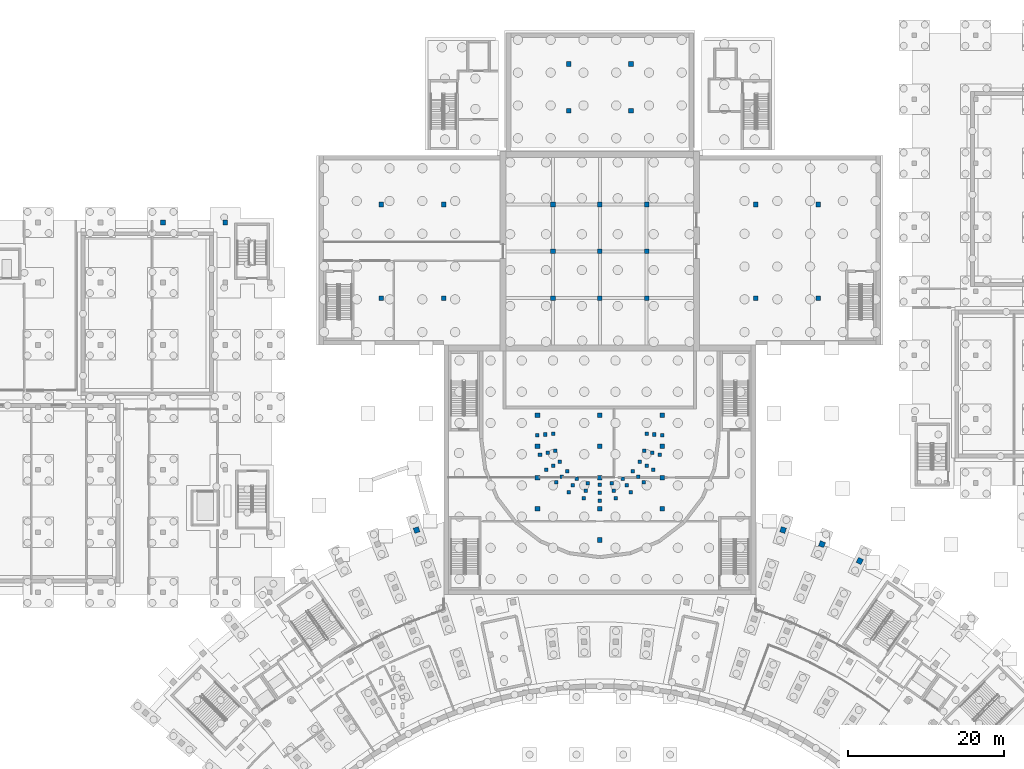
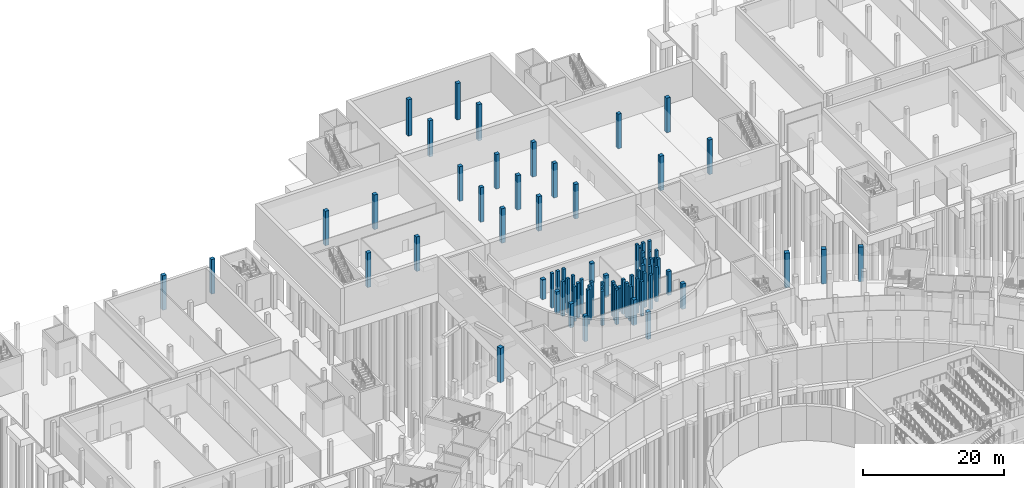
# One storey, part 11 of 66: 79 columns.
"""IFC4 building model written with IfcOpenShell, lengths in metres."""

from ifc_helpers import new_model, si_unit, direction, frame, origin, origin_2d, place, context, subcontext, project, spatial, rectangle, extrude, material, material_profile, profile_set, type_object, element, save


model = new_model("IFC4")

# Units and contexts
model_context = context("Model", 3, precision=1e-05, world=origin(), true_north=direction((0.0, 1.0)))
body_context = subcontext(model_context, "Body", "Model", "MODEL_VIEW")
ifc_project = project(units=[si_unit("LENGTHUNIT", "METRE"), si_unit("AREAUNIT", "SQUARE_METRE"), si_unit("VOLUMEUNIT", "CUBIC_METRE"), si_unit("PLANEANGLEUNIT", "RADIAN"), si_unit("MASSUNIT", "GRAM", prefix="KILO")], contexts=[model_context])

# Site, building, storey
site_placement = place(None, origin())
site = spatial("IfcSite", under=ifc_project, at=site_placement, CompositionType="ELEMENT")
building_placement = place(site_placement, origin())
building = spatial("IfcBuilding", under=site, at=building_placement, Name="Lunette Opera House", CompositionType="ELEMENT")
storey_placement = place(building_placement, frame((0.0, 0.0, -6.0)))
storey = spatial("IfcBuildingStorey", under=building, at=storey_placement, Name="B1", CompositionType="ELEMENT", Elevation=-6.0)

# Columns
ifc_material_1 = material(Name="Concrete C40/50", Category="concrete")
ifc_material_profile_1 = material_profile(ifc_material_1, rectangle(XDim=0.449951171875, YDim=0.449951171875, at=origin_2d()), Name="RC COLUMN 450X450")
ifc_profile_set_1 = profile_set([ifc_material_profile_1], Name="Concrete C40/50")
column_type_1 = type_object("IfcColumnType", Name="RC COLUMN 450X450", PredefinedType="COLUMN", material=ifc_profile_set_1)
for number, where, z_axis, x_axis, name in (
    (1, (90.0, 84.590087890625, 0.0), (0.0, 0.0, 1.0), (1.0, 0.0, 0.0), "col-AU-B1-TCL02-1"),
    (2, (90.279052734375, 82.467041015625, 0.0), (0.0, 0.0, 1.0), (1.0, 0.0, 0.0), "col-AU-B1-TCL02-2"),
    (3, (90.87109375, 81.0390625, 0.0), (0.0, 0.0, 1.0), (1.0, 0.0, 0.0), "col-AU-B1-TCL02-3"),
    (4, (91.81201171875, 79.81201171875, 0.0), (0.0, 0.0, 1.0), (1.0, 0.0, 0.0), "col-AU-B1-TCL02-4"),
    (5, (93.0390625, 78.87109375, 0.0), (0.0, 0.0, 1.0), (1.0, 0.0, 0.0), "col-AU-B1-TCL02-5"),
    (6, (94.467041015625, 78.279052734375, 0.0), (0.0, 0.0, 1.0), (1.0, 0.0, 0.0), "col-AU-B1-TCL02-6"),
    (7, (96.0, 78.077880859375, 0.0), (0.0, 0.0, 1.0), (1.0, 0.0, 0.0), "col-AU-B1-TCL02-7"),
    (8, (97.532958984375, 78.279052734375, 0.0), (0.0, 0.0, 1.0), (1.0, 0.0, 0.0), "col-AU-B1-TCL02-8"),
    (9, (98.9609375, 78.87109375, 0.0), (0.0, 0.0, 1.0), (1.0, 0.0, 0.0), "col-AU-B1-TCL02-9"),
    (10, (100.18798828125, 79.81201171875, 0.0), (0.0, 0.0, 1.0), (1.0, 0.0, 0.0), "col-AU-B1-TCL02-10"),
    (11, (101.12890625, 81.0390625, 0.0), (0.0, 0.0, 1.0), (1.0, 0.0, 0.0), "col-AU-B1-TCL02-11"),
    (12, (101.720947265625, 82.467041015625, 0.0), (0.0, 0.0, 1.0), (1.0, 0.0, 0.0), "col-AU-B1-TCL02-12"),
    (13, (102.0, 84.590087890625, 0.0), (0.0, 0.0, 1.0), (1.0, 0.0, 0.0), "col-AU-B1-TCL02-13"),
    (14, (89.0, 84.52392578125, 0.0), (0.0, 0.0, 1.0), (1.0, 0.0, 0.0), "col-AU-B1-TCL03-1"),
    (15, (89.304931640625, 82.2060546875, 0.0), (0.0, 0.0, 1.0), (1.0, 0.0, 0.0), "col-AU-B1-TCL03-2"),
    (16, (89.998046875, 80.534912109375, 0.0), (0.0, 0.0, 1.0), (1.0, 0.0, 0.0), "col-AU-B1-TCL03-3"),
    (17, (91.09912109375, 79.09912109375, 0.0), (0.0, 0.0, 1.0), (1.0, 0.0, 0.0), "col-AU-B1-TCL03-4"),
    (18, (92.534912109375, 77.998046875, 0.0), (0.0, 0.0, 1.0), (1.0, 0.0, 0.0), "col-AU-B1-TCL03-5"),
    (19, (94.2060546875, 77.304931640625, 0.0), (0.0, 0.0, 1.0), (1.0, 0.0, 0.0), "col-AU-B1-TCL03-6"),
    (20, (96.0, 77.069091796875, 0.0), (0.0, 0.0, 1.0), (1.0, 0.0, 0.0), "col-AU-B1-TCL03-7"),
    (21, (97.7939453125, 77.304931640625, 0.0), (0.0, 0.0, 1.0), (1.0, 0.0, 0.0), "col-AU-B1-TCL03-8"),
    (22, (99.465087890625, 77.998046875, 0.0), (0.0, 0.0, 1.0), (1.0, 0.0, 0.0), "col-AU-B1-TCL03-9"),
    (23, (100.90087890625, 79.09912109375, 0.0), (0.0, 0.0, 1.0), (1.0, 0.0, 0.0), "col-AU-B1-TCL03-10"),
    (24, (102.001953125, 80.534912109375, 0.0), (0.0, 0.0, 1.0), (1.0, 0.0, 0.0), "col-AU-B1-TCL03-11"),
    (25, (102.695068359375, 82.2060546875, 0.0), (0.0, 0.0, 1.0), (1.0, 0.0, 0.0), "col-AU-B1-TCL03-12"),
    (26, (103.0, 84.52392578125, 0.0), (0.0, 0.0, 1.0), (1.0, 0.0, 0.0), "col-AU-B1-TCL03-13"),
    (27, (88.0, 84.458984375, 0.0), (0.0, 0.0, 1.0), (1.0, 0.0, 0.0), "col-AU-B1-TCL04-1"),
    (28, (88.3310546875, 81.945068359375, 0.0), (0.0, 0.0, 1.0), (1.0, 0.0, 0.0), "col-AU-B1-TCL04-2"),
    (29, (89.1240234375, 80.030029296875, 0.0), (0.0, 0.0, 1.0), (1.0, 0.0, 0.0), "col-AU-B1-TCL04-3"),
    (30, (90.385986328125, 78.385986328125, 0.0), (0.0, 0.0, 1.0), (1.0, 0.0, 0.0), "col-AU-B1-TCL04-4"),
    (31, (92.030029296875, 77.1240234375, 0.0), (0.0, 0.0, 1.0), (1.0, 0.0, 0.0), "col-AU-B1-TCL04-5"),
    (32, (93.945068359375, 76.3310546875, 0.0), (0.0, 0.0, 1.0), (1.0, 0.0, 0.0), "col-AU-B1-TCL04-6"),
    (33, (96.0, 76.06005859375, 0.0), (0.0, 0.0, 1.0), (1.0, 0.0, 0.0), "col-AU-B1-TCL04-7"),
    (34, (98.054931640625, 76.3310546875, 0.0), (0.0, 0.0, 1.0), (1.0, 0.0, 0.0), "col-AU-B1-TCL04-8"),
    (35, (99.969970703125, 77.1240234375, 0.0), (0.0, 0.0, 1.0), (1.0, 0.0, 0.0), "col-AU-B1-TCL04-9"),
    (36, (101.614013671875, 78.385986328125, 0.0), (0.0, 0.0, 1.0), (1.0, 0.0, 0.0), "col-AU-B1-TCL04-10"),
    (37, (102.8759765625, 80.030029296875, 0.0), (0.0, 0.0, 1.0), (1.0, 0.0, 0.0), "col-AU-B1-TCL04-11"),
    (38, (103.6689453125, 81.945068359375, 0.0), (0.0, 0.0, 1.0), (1.0, 0.0, 0.0), "col-AU-B1-TCL04-12"),
    (39, (104.0, 84.458984375, 0.0), (0.0, 0.0, 1.0), (1.0, 0.0, 0.0), "col-AU-B1-TCL04-13"),
):
    element("IfcColumn", number, at=place(storey_placement, frame(where, z_axis=z_axis, x_axis=x_axis)), inside=storey, type_object=column_type_1, Name=name, PredefinedType="COLUMN", context=body_context, shape_type="SweptSolid", body=[
        extrude(rectangle(XDim=0.449951171875, YDim=0.449951171875, at=origin_2d()), origin(), (0.0, 0.0, 1.0), 6.0),
    ])
ifc_material_2 = material(Name="Concrete C35/45", Category="concrete")
ifc_material_profile_2 = material_profile(ifc_material_2, rectangle(XDim=0.60009765625, YDim=0.60009765625, at=origin_2d()), Name="RC COLUMN 600X600")
ifc_profile_set_2 = profile_set([ifc_material_profile_2], Name="Concrete C35/45")
column_type_2 = type_object("IfcColumnType", Name="RC COLUMN 600X600", PredefinedType="COLUMN", material=ifc_profile_set_2)
column_placement = place(storey_placement, frame((96.0, 71.0, 0.0), z_axis=(0.0, 0.0, 1.0), x_axis=(1.0, 0.0, 0.0)))
element("IfcColumn", 40, at=column_placement, inside=storey, type_object=column_type_2, Name="col-AU-B1-ST71-96", PredefinedType="COLUMN", context=body_context, shape_type="SweptSolid", body=[
    extrude(rectangle(XDim=0.60009765625, YDim=0.60009765625, at=origin_2d()), origin(), (0.0, 0.0, 1.0), 4.743896484375),
])
for number, where, z_axis, x_axis, name in (
    (41, (88.0, 75.0, 0.0), (0.0, 0.0, 1.0), (1.0, 0.0, 0.0), "col-AU-B1-ST75-88"),
    (42, (96.0, 75.0, 0.0), (0.0, 0.0, 1.0), (1.0, 0.0, 0.0), "col-AU-B1-ST75-96"),
    (43, (104.0, 75.0, 0.0), (0.0, 0.0, 1.0), (1.0, 0.0, 0.0), "col-AU-B1-ST75-104"),
):
    element("IfcColumn", number, at=place(storey_placement, frame(where, z_axis=z_axis, x_axis=x_axis)), inside=storey, type_object=column_type_2, Name=name, PredefinedType="COLUMN", context=body_context, shape_type="SweptSolid", body=[
        extrude(rectangle(XDim=0.60009765625, YDim=0.60009765625, at=origin_2d()), origin(), (0.0, 0.0, 1.0), 4.430908203125),
    ])
for number, where, z_axis, x_axis, name in (
    (44, (88.0, 79.0, 0.0), (0.0, 0.0, 1.0), (1.0, 0.0, 0.0), "col-AU-B1-ST79-88"),
    (45, (96.0, 79.0, 0.0), (0.0, 0.0, 1.0), (1.0, 0.0, 0.0), "col-AU-B1-ST79-96"),
    (46, (104.0, 79.0, 0.0), (0.0, 0.0, 1.0), (1.0, 0.0, 0.0), "col-AU-B1-ST79-104"),
):
    element("IfcColumn", number, at=place(storey_placement, frame(where, z_axis=z_axis, x_axis=x_axis)), inside=storey, type_object=column_type_2, Name=name, PredefinedType="COLUMN", context=body_context, shape_type="SweptSolid", body=[
        extrude(rectangle(XDim=0.60009765625, YDim=0.60009765625, at=origin_2d()), origin(), (0.0, 0.0, 1.0), 4.118896484375),
    ])
for number, where, z_axis, x_axis, name in (
    (47, (88.0, 83.0, 0.0), (0.0, 0.0, 1.0), (1.0, 0.0, 0.0), "col-AU-B1-ST83-88"),
    (48, (96.0, 83.0, 0.0), (0.0, 0.0, 1.0), (1.0, 0.0, 0.0), "col-AU-B1-ST83-96"),
    (49, (104.0, 83.0, 0.0), (0.0, 0.0, 1.0), (1.0, 0.0, 0.0), "col-AU-B1-ST83-104"),
):
    element("IfcColumn", number, at=place(storey_placement, frame(where, z_axis=z_axis, x_axis=x_axis)), inside=storey, type_object=column_type_2, Name=name, PredefinedType="COLUMN", context=body_context, shape_type="SweptSolid", body=[
        extrude(rectangle(XDim=0.60009765625, YDim=0.60009765625, at=origin_2d()), origin(), (0.0, 0.0, 1.0), 3.805908203125),
    ])
for number, where, z_axis, x_axis, name in (
    (50, (88.0, 87.0, 0.0), (0.0, 0.0, 1.0), (1.0, 0.0, 0.0), "col-AU-B1-ST87-88"),
    (51, (96.0, 87.0, 0.0), (0.0, 0.0, 1.0), (1.0, 0.0, 0.0), "col-AU-B1-ST87-96"),
    (52, (104.0, 87.0, 0.0), (0.0, 0.0, 1.0), (1.0, 0.0, 0.0), "col-AU-B1-ST87-104"),
):
    element("IfcColumn", number, at=place(storey_placement, frame(where, z_axis=z_axis, x_axis=x_axis)), inside=storey, type_object=column_type_2, Name=name, PredefinedType="COLUMN", context=body_context, shape_type="SweptSolid", body=[
        extrude(rectangle(XDim=0.60009765625, YDim=0.60009765625, at=origin_2d()), origin(), (0.0, 0.0, 1.0), 3.493896484375),
    ])
for number, where, z_axis, x_axis, name in (
    (53, (90.0, 102.0, 0.0), (0.0, 0.0, 1.0), (1.0, 0.0, 0.0), "col-ST-B1-TB1-900-1020"),
    (54, (90.0, 108.0, 0.0), (0.0, 0.0, 1.0), (1.0, 0.0, 0.0), "col-ST-B1-TB1-900-1080"),
    (55, (90.0, 114.0, 0.0), (0.0, 0.0, 1.0), (1.0, 0.0, 0.0), "col-ST-B1-TB1-900-1140"),
    (56, (96.0, 102.0, 0.0), (0.0, 0.0, 1.0), (1.0, 0.0, 0.0), "col-ST-B1-TB1-960-1020"),
    (57, (96.0, 108.0, 0.0), (0.0, 0.0, 1.0), (1.0, 0.0, 0.0), "col-ST-B1-TB1-960-1080"),
    (58, (96.0, 114.0, 0.0), (0.0, 0.0, 1.0), (1.0, 0.0, 0.0), "col-ST-B1-TB1-960-1140"),
    (59, (102.0, 102.0, 0.0), (0.0, 0.0, 1.0), (1.0, 0.0, 0.0), "col-ST-B1-TB1-1020-1020"),
    (60, (102.0, 108.0, 0.0), (0.0, 0.0, 1.0), (1.0, 0.0, 0.0), "col-ST-B1-TB1-1020-1080"),
    (61, (102.0, 114.0, 0.0), (0.0, 0.0, 1.0), (1.0, 0.0, 0.0), "col-ST-B1-TB1-1020-1140"),
    (62, (68.0, 102.0, 0.0), (0.0, 0.0, 1.0), (1.0, 0.0, 0.0), "col-ST-B1-SW-680-1020"),
    (63, (68.0, 114.0, 0.0), (0.0, 0.0, 1.0), (1.0, 0.0, 0.0), "col-ST-B1-SW-680-1140"),
    (64, (76.0, 102.0, 0.0), (0.0, 0.0, 1.0), (1.0, 0.0, 0.0), "col-ST-B1-SW-760-1020"),
    (65, (76.0, 114.0, 0.0), (0.0, 0.0, 1.0), (1.0, 0.0, 0.0), "col-ST-B1-SW-760-1140"),
    (66, (116.0, 102.0, 0.0), (0.0, 0.0, 1.0), (1.0, 0.0, 0.0), "col-ST-B1-SE-1160-1020"),
    (67, (116.0, 114.0, 0.0), (0.0, 0.0, 1.0), (1.0, 0.0, 0.0), "col-ST-B1-SE-1160-1140"),
    (68, (124.0, 102.0, 0.0), (0.0, 0.0, 1.0), (1.0, 0.0, 0.0), "col-ST-B1-SE-1240-1020"),
    (69, (124.0, 114.0, 0.0), (0.0, 0.0, 1.0), (1.0, 0.0, 0.0), "col-ST-B1-SE-1240-1140"),
):
    element("IfcColumn", number, at=place(storey_placement, frame(where, z_axis=z_axis, x_axis=x_axis)), inside=storey, type_object=column_type_2, Name=name, PredefinedType="COLUMN", context=body_context, shape_type="SweptSolid", body=[
        extrude(rectangle(XDim=0.60009765625, YDim=0.60009765625, at=origin_2d()), origin(), (0.0, 0.0, 1.0), 6.0),
    ])
for number, where, z_axis, x_axis, name in (
    (70, (92.0, 126.0, -0.300048828125), (0.0, 0.0, 1.0), (1.0, 0.0, 0.0), "col-ST-B1-SR-920-1260"),
    (71, (92.0, 132.0, -0.300048828125), (0.0, 0.0, 1.0), (1.0, 0.0, 0.0), "col-ST-B1-SR-920-1320"),
    (72, (100.0, 126.0, -0.300048828125), (0.0, 0.0, 1.0), (1.0, 0.0, 0.0), "col-ST-B1-SR-1000-1260"),
    (73, (100.0, 132.0, -0.300048828125), (0.0, 0.0, 1.0), (1.0, 0.0, 0.0), "col-ST-B1-SR-1000-1320"),
):
    element("IfcColumn", number, at=place(storey_placement, frame(where, z_axis=z_axis, x_axis=x_axis)), inside=storey, type_object=column_type_2, Name=name, PredefinedType="COLUMN", context=body_context, shape_type="SweptSolid", body=[
        extrude(rectangle(XDim=0.60009765625, YDim=0.60009765625, at=origin_2d()), origin(), (0.0, 0.0, 1.0), 6.300048828125),
    ])
for number, where, z_axis, x_axis, name in (
    (74, (40.0, 111.699951171875, 0.0), (0.0, 0.0, 1.0), (1.0, 0.0, 0.0), "col-RW-B1-C46"),
    (75, (48.0, 111.699951171875, 0.0), (0.0, 0.0, 1.0), (1.0, 0.0, 0.0), "col-RW-B1-C56"),
):
    element("IfcColumn", number, at=place(storey_placement, frame(where, z_axis=z_axis, x_axis=x_axis)), inside=storey, type_object=column_type_2, Name=name, PredefinedType="COLUMN", context=body_context, shape_type="SweptSolid", body=[
        extrude(rectangle(XDim=0.60009765625, YDim=0.60009765625, at=origin_2d()), origin(), (0.0, 0.0, 1.0), 6.0),
    ])
ifc_material_3 = material(Name="Concrete C35/45", Category="concrete")
ifc_material_profile_3 = material_profile(ifc_material_3, rectangle(XDim=0.699951171875, YDim=0.699951171875, at=origin_2d()), Name="RC COLUMN 700X700")
ifc_profile_set_3 = profile_set([ifc_material_profile_3], Name="Concrete C35/45")
column_type_3 = type_object("IfcColumnType", Name="RC COLUMN 700X700", PredefinedType="COLUMN", material=ifc_profile_set_3)
for number, where, z_axis, x_axis, name in (
    (76, (72.514892578125, 72.280029296875, 0.0), (0.0, 0.0, 1.0), (0.951056516295, 0.309016994375, 0.0), "col-FC-B1-AR-C-RL-09"),
    (77, (119.485107421875, 72.280029296875, 0.0), (0.0, 0.0, 1.0), (0.951056516295, -0.309016994375, 0.0), "col-FC-B1-AR-C-RL-18"),
    (78, (124.469970703125, 70.466064453125, 0.0), (0.0, 0.0, 1.0), (0.927183854567, -0.374606593416, 0.0), "col-FC-B1-AR-C-RL-19"),
    (79, (129.31591796875, 68.30810546875, 0.0), (0.0, 0.0, 1.0), (0.898794046299, -0.438371146789, 0.0), "col-FC-B1-AR-C-RL-20"),
):
    element("IfcColumn", number, at=place(storey_placement, frame(where, z_axis=z_axis, x_axis=x_axis)), inside=storey, type_object=column_type_3, Name=name, PredefinedType="COLUMN", context=body_context, shape_type="SweptSolid", body=[
        extrude(rectangle(XDim=0.699951171875, YDim=0.699951171875, at=origin_2d()), origin(), (0.0, 0.0, 1.0), 6.0),
    ])

save(model, "model.ifc")
